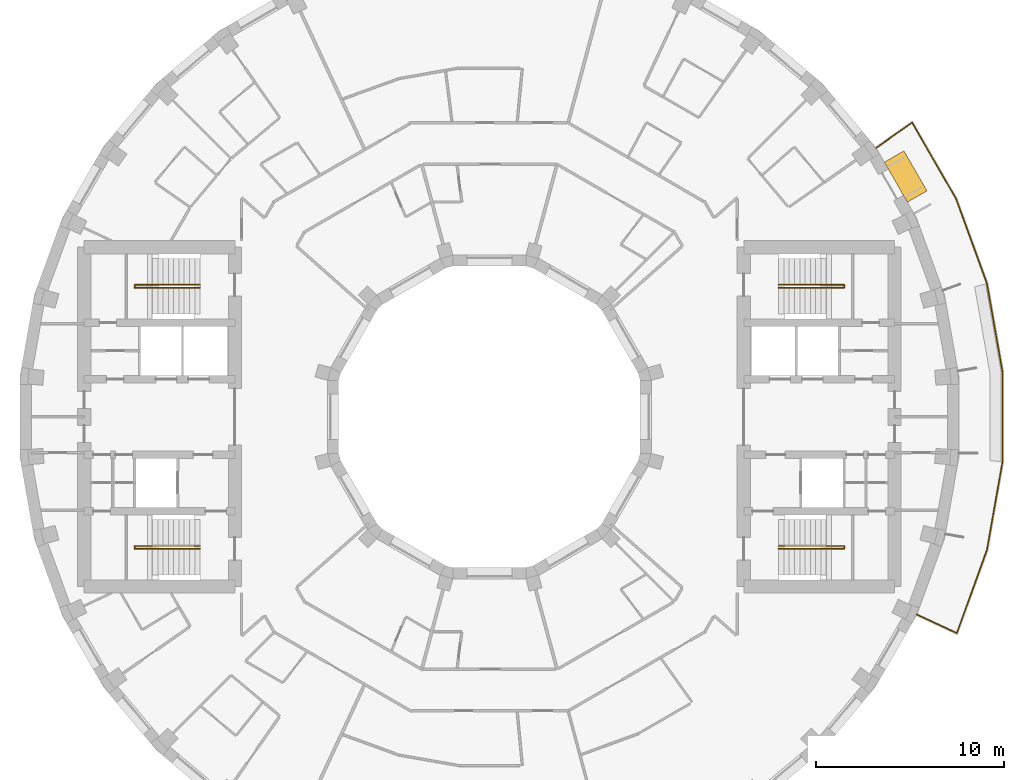
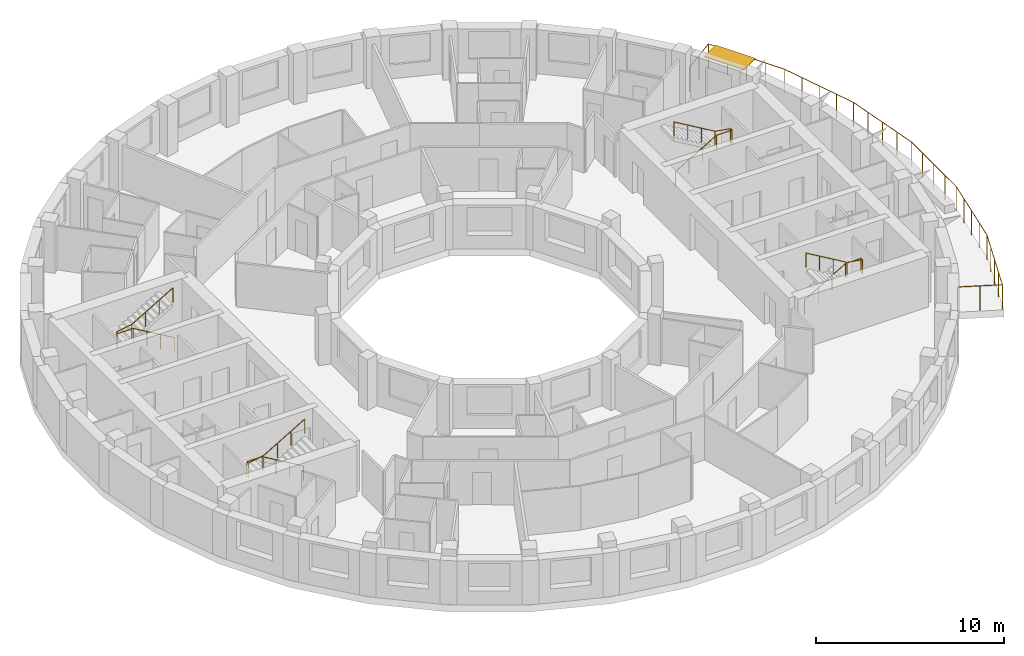
# One storey, part 11 of 11: 5 railings, 1 shading device.
"""IFC4 building model written with IfcOpenShell, lengths in metres."""

from ifc_helpers import new_model, si_unit, direction, frame, origin, origin_2d, place, context, subcontext, project, spatial, rectangle, circle, extrude, material, layer, layer_set, type_object, element, save


model = new_model("IFC4")

# Units and contexts
model_context = context("Model", 3, precision=1e-05, world=origin(), true_north=direction((0.0, 1.0)))
body_context = subcontext(model_context, "Body", "Model", "MODEL_VIEW")
ifc_project = project(units=[si_unit("LENGTHUNIT", "METRE"), si_unit("AREAUNIT", "SQUARE_METRE"), si_unit("VOLUMEUNIT", "CUBIC_METRE"), si_unit("PLANEANGLEUNIT", "RADIAN"), si_unit("MASSUNIT", "GRAM", prefix="KILO")], contexts=[model_context])

# Site, building, storey
site_placement = place(None, origin())
site = spatial("IfcSite", under=ifc_project, at=site_placement, CompositionType="ELEMENT")
building_placement = place(site_placement, origin())
building = spatial("IfcBuilding", under=site, at=building_placement, Name="Saqina Gate Tower", CompositionType="ELEMENT")
storey_placement = place(building_placement, frame((0.0, 0.0, 180.60009765625)))
storey = spatial("IfcBuildingStorey", under=building, at=storey_placement, Name="L51", CompositionType="ELEMENT", Elevation=180.60009765625)

# Shading device
ifc_material_1 = material(Name="Aluminium and fabric awning", Category="aluminium")
ifc_layer = layer(ifc_material_1, 0.050048828125)
ifc_layer_set = layer_set([ifc_layer], Name="AW-TERRACE")
shading_device_type = type_object("IfcShadingDeviceType", Name="AW-TERRACE", PredefinedType="AWNING", material=ifc_layer_set)
shading_device_placement = place(storey_placement, frame((22.087890625, 12.75244140625, 2.52490234375), z_axis=(0.0, 0.0, 1.0), x_axis=(-0.5, 0.866025403784, 0.0)))
element("IfcShadingDevice", 1, at=shading_device_placement, inside=storey, type_object=shading_device_type, Name="Terrace awning L51 facet 3", PredefinedType="AWNING", context=body_context, shape_type="SweptSolid", body=[
    extrude(rectangle(XDim=2.44970703125, YDim=1.199951171875, at=origin_2d()), origin(), (0.0, 0.0, 1.0), 0.050048828125),
])

# Railings
ifc_material_2 = material(Name="Stainless steel", Category="steel")
railing_type_1 = type_object("IfcRailingType", Name="RL-TERRACE", PredefinedType="GUARDRAIL", material=ifc_material_2)
railing_1_placement = place(storey_placement, frame((22.63720703125, -10.467529296875, 0.0)))
element("IfcRailing", 2, at=railing_1_placement, inside=storey, type_object=railing_type_1, Name="Terrace guard L51", PredefinedType="GUARDRAIL", context=body_context, shape_type="SweptSolid", body=[
    extrude(circle(Radius=0.02392578125, at=origin_2d()), frame((0.0, 0.0, 1.576171875), z_axis=(0.906277108403, -0.422684046048, 0.0), x_axis=(0.422684046048, 0.906277108403, 0.0)), (0.0, 0.0, 1.0), 2.388916015625),
    extrude(circle(Radius=0.02392578125, at=origin_2d()), frame((2.1650390625, -1.009765625, 1.576171875), z_axis=(0.340608713677, 0.940205139407, 0.0), x_axis=(-0.940205139407, 0.340608713677, 0.0)), (0.0, 0.0, 1.0), 4.68408203125),
    extrude(circle(Radius=0.02392578125, at=origin_2d()), frame((3.760498046875, 3.394287109375, 1.576171875), z_axis=(0.173633303123, 0.98481037568, 0.0), x_axis=(-0.98481037568, 0.173633303123, 0.0)), (0.0, 0.0, 1.0), 4.763671875),
    extrude(circle(Radius=0.02392578125, at=origin_2d()), frame((4.587646484375, 8.085693359375, 1.576171875), z_axis=(0.0, 1.0, 0.0), x_axis=(-1.0, 0.0, 0.0)), (0.0, 0.0, 1.0), 4.763671875),
    extrude(circle(Radius=0.02392578125, at=origin_2d()), frame((4.587646484375, 12.849365234375, 1.576171875), z_axis=(-0.173633303123, 0.98481037568, 0.0), x_axis=(-0.98481037568, -0.173633303123, 0.0)), (0.0, 0.0, 1.0), 4.763671875),
    extrude(circle(Radius=0.02392578125, at=origin_2d()), frame((3.760498046875, 17.540771484375, 1.576171875), z_axis=(-0.342031084868, 0.939688638318, 0.0), x_axis=(-0.939688638318, -0.342031084868, 0.0)), (0.0, 0.0, 1.0), 4.763916015625),
    extrude(circle(Radius=0.02392578125, at=origin_2d()), frame((2.131103515625, 22.017333984375, 1.576171875), z_axis=(-0.49871886863, 0.866763802932, 0.0), x_axis=(-0.866763802932, -0.49871886863, 0.0)), (0.0, 0.0, 1.0), 4.683837890625),
    extrude(circle(Radius=0.02392578125, at=origin_2d()), frame((-0.204833984375, 26.0771484375, 1.576171875), z_axis=(-0.819159891559, -0.573565229124, 0.0), x_axis=(0.573565229124, -0.819159891559, 0.0)), (0.0, 0.0, 1.0), 2.388671875),
    extrude(circle(Radius=0.02099609375, at=origin_2d()), origin(), (0.0, 0.0, 1.0), 1.552001953125),
    extrude(circle(Radius=0.02099609375, at=origin_2d()), frame((1.08251953125, -0.5048828125, 0.0)), (0.0, 0.0, 1.0), 1.552001953125),
    extrude(circle(Radius=0.02099609375, at=origin_2d()), frame((2.1650390625, -1.009765625, 0.0)), (0.0, 0.0, 1.0), 1.552001953125),
    extrude(circle(Radius=0.02099609375, at=origin_2d()), frame((2.56396484375, 0.09130859375, 0.0)), (0.0, 0.0, 1.0), 1.552001953125),
    extrude(circle(Radius=0.02099609375, at=origin_2d()), frame((2.962890625, 1.1923828125, 0.0)), (0.0, 0.0, 1.0), 1.552001953125),
    extrude(circle(Radius=0.02099609375, at=origin_2d()), frame((3.361572265625, 2.293212890625, 0.0)), (0.0, 0.0, 1.0), 1.552001953125),
    extrude(circle(Radius=0.02099609375, at=origin_2d()), frame((3.760498046875, 3.394287109375, 0.0)), (0.0, 0.0, 1.0), 1.552001953125),
    extrude(circle(Radius=0.02099609375, at=origin_2d()), frame((3.96728515625, 4.567138671875, 0.0)), (0.0, 0.0, 1.0), 1.552001953125),
    extrude(circle(Radius=0.02099609375, at=origin_2d()), frame((4.174072265625, 5.739990234375, 0.0)), (0.0, 0.0, 1.0), 1.552001953125),
    extrude(circle(Radius=0.02099609375, at=origin_2d()), frame((4.380859375, 6.912841796875, 0.0)), (0.0, 0.0, 1.0), 1.552001953125),
    extrude(circle(Radius=0.02099609375, at=origin_2d()), frame((4.587646484375, 8.085693359375, 0.0)), (0.0, 0.0, 1.0), 1.552001953125),
    extrude(circle(Radius=0.02099609375, at=origin_2d()), frame((4.587646484375, 9.276611328125, 0.0)), (0.0, 0.0, 1.0), 1.552001953125),
    extrude(circle(Radius=0.02099609375, at=origin_2d()), frame((4.587646484375, 10.467529296875, 0.0)), (0.0, 0.0, 1.0), 1.552001953125),
    extrude(circle(Radius=0.02099609375, at=origin_2d()), frame((4.587646484375, 11.658447265625, 0.0)), (0.0, 0.0, 1.0), 1.552001953125),
    extrude(circle(Radius=0.02099609375, at=origin_2d()), frame((4.587646484375, 12.849365234375, 0.0)), (0.0, 0.0, 1.0), 1.552001953125),
    extrude(circle(Radius=0.02099609375, at=origin_2d()), frame((4.380859375, 14.022216796875, 0.0)), (0.0, 0.0, 1.0), 1.552001953125),
    extrude(circle(Radius=0.02099609375, at=origin_2d()), frame((4.174072265625, 15.195068359375, 0.0)), (0.0, 0.0, 1.0), 1.552001953125),
    extrude(circle(Radius=0.02099609375, at=origin_2d()), frame((3.96728515625, 16.367919921875, 0.0)), (0.0, 0.0, 1.0), 1.552001953125),
    extrude(circle(Radius=0.02099609375, at=origin_2d()), frame((3.760498046875, 17.540771484375, 0.0)), (0.0, 0.0, 1.0), 1.552001953125),
    extrude(circle(Radius=0.02099609375, at=origin_2d()), frame((3.35302734375, 18.659912109375, 0.0)), (0.0, 0.0, 1.0), 1.552001953125),
    extrude(circle(Radius=0.02099609375, at=origin_2d()), frame((2.94580078125, 19.779052734375, 0.0)), (0.0, 0.0, 1.0), 1.552001953125),
    extrude(circle(Radius=0.02099609375, at=origin_2d()), frame((2.53857421875, 20.898193359375, 0.0)), (0.0, 0.0, 1.0), 1.552001953125),
    extrude(circle(Radius=0.02099609375, at=origin_2d()), frame((2.131103515625, 22.017333984375, 0.0)), (0.0, 0.0, 1.0), 1.552001953125),
    extrude(circle(Radius=0.02099609375, at=origin_2d()), frame((1.547119140625, 23.0322265625, 0.0)), (0.0, 0.0, 1.0), 1.552001953125),
    extrude(circle(Radius=0.02099609375, at=origin_2d()), frame((0.963134765625, 24.04736328125, 0.0)), (0.0, 0.0, 1.0), 1.552001953125),
    extrude(circle(Radius=0.02099609375, at=origin_2d()), frame((0.379150390625, 25.062255859375, 0.0)), (0.0, 0.0, 1.0), 1.552001953125),
    extrude(circle(Radius=0.02099609375, at=origin_2d()), frame((-0.204833984375, 26.0771484375, 0.0)), (0.0, 0.0, 1.0), 1.552001953125),
    extrude(circle(Radius=0.02099609375, at=origin_2d()), frame((-1.18310546875, 25.39208984375, 0.0)), (0.0, 0.0, 1.0), 1.552001953125),
    extrude(circle(Radius=0.02099609375, at=origin_2d()), frame((-2.16162109375, 24.70703125, 0.0)), (0.0, 0.0, 1.0), 1.552001953125),
])
ifc_material_3 = material(Name="Stainless steel", Category="steel")
railing_type_2 = type_object("IfcRailingType", Name="STAIR HANDRAIL", PredefinedType="HANDRAIL", material=ifc_material_3)
railing_2_placement = place(storey_placement, frame((15.35009765625, 6.85009765625, 0.164794921875)))
element("IfcRailing", 3, at=railing_2_placement, inside=storey, type_object=railing_type_2, Name="EXIT STAIR 1 HANDRAIL", PredefinedType="HANDRAIL", context=body_context, shape_type="SweptSolid", body=[
    extrude(circle(Radius=0.02392578125, at=origin_2d()), frame((0.0, 0.0, 0.92578125), z_axis=(0.86152411907, 0.0, 0.507716645641), x_axis=(0.0, 1.0, 0.0)), (0.0, 0.0, 1.0), 2.925048828125),
    extrude(circle(Radius=0.02392578125, at=origin_2d()), frame((2.52001953125, 0.0, 2.4111328125), z_axis=(1.0, 0.0, 0.0), x_axis=(0.0, 1.0, 0.0)), (0.0, 0.0, 1.0), 0.949951171875),
    extrude(circle(Radius=0.02392578125, at=origin_2d()), frame((3.469970703125, 0.0, 2.4111328125), z_axis=(0.0, 1.0, 0.0), x_axis=(-1.0, 0.0, 0.0)), (0.0, 0.0, 1.0), 0.14990234375),
    extrude(circle(Radius=0.02392578125, at=origin_2d()), frame((3.469970703125, 0.14990234375, 2.4111328125), z_axis=(-0.985241474778, 0.0, 0.171170197109), x_axis=(0.0, -1.0, 0.0)), (0.0, 0.0, 1.0), 0.964111328125),
    extrude(circle(Radius=0.02392578125, at=origin_2d()), frame((2.52001953125, 0.14990234375, 2.576171875), z_axis=(-0.861560626758, 0.0, 0.507654692109), x_axis=(0.0, -1.0, 0.0)), (0.0, 0.0, 1.0), 2.925048828125),
    extrude(circle(Radius=0.02099609375, at=origin_2d()), origin(), (0.0, 0.0, 1.0), 0.90185546875),
    extrude(circle(Radius=0.02099609375, at=origin_2d()), frame((0.840087890625, 0.0, 0.4951171875)), (0.0, 0.0, 1.0), 0.90185546875),
    extrude(circle(Radius=0.02099609375, at=origin_2d()), frame((1.679931640625, 0.0, 0.989990234375)), (0.0, 0.0, 1.0), 0.90185546875),
    extrude(circle(Radius=0.02099609375, at=origin_2d()), frame((2.52001953125, 0.0, 1.485107421875)), (0.0, 0.0, 1.0), 0.90185546875),
    extrude(circle(Radius=0.02099609375, at=origin_2d()), frame((3.469970703125, 0.0, 1.485107421875)), (0.0, 0.0, 1.0), 0.90185546875),
    extrude(circle(Radius=0.02099609375, at=origin_2d()), frame((3.469970703125, 0.14990234375, 1.485107421875)), (0.0, 0.0, 1.0), 0.90185546875),
    extrude(circle(Radius=0.02099609375, at=origin_2d()), frame((2.52001953125, 0.14990234375, 1.650146484375)), (0.0, 0.0, 1.0), 0.90185546875),
    extrude(circle(Radius=0.02099609375, at=origin_2d()), frame((1.679931640625, 0.14990234375, 2.14501953125)), (0.0, 0.0, 1.0), 0.90185546875),
    extrude(circle(Radius=0.02099609375, at=origin_2d()), frame((0.840087890625, 0.14990234375, 2.64013671875)), (0.0, 0.0, 1.0), 0.90185546875),
    extrude(circle(Radius=0.02099609375, at=origin_2d()), frame((0.0, 0.14990234375, 3.135009765625)), (0.0, 0.0, 1.0), 0.90185546875),
])
railing_3_placement = place(storey_placement, frame((15.35009765625, -6.85009765625, 0.164794921875)))
element("IfcRailing", 4, at=railing_3_placement, inside=storey, type_object=railing_type_2, Name="EXIT STAIR 2 HANDRAIL", PredefinedType="HANDRAIL", context=body_context, shape_type="SweptSolid", body=[
    extrude(circle(Radius=0.02392578125, at=origin_2d()), frame((0.0, 0.0, 0.92578125), z_axis=(0.86152411907, 0.0, 0.507716645641), x_axis=(0.0, 1.0, 0.0)), (0.0, 0.0, 1.0), 2.925048828125),
    extrude(circle(Radius=0.02392578125, at=origin_2d()), frame((2.52001953125, 0.0, 2.4111328125), z_axis=(1.0, 0.0, 0.0), x_axis=(0.0, 1.0, 0.0)), (0.0, 0.0, 1.0), 0.949951171875),
    extrude(circle(Radius=0.02392578125, at=origin_2d()), frame((3.469970703125, 0.0, 2.4111328125), z_axis=(0.0, -1.0, 0.0), x_axis=(1.0, 0.0, 0.0)), (0.0, 0.0, 1.0), 0.14990234375),
    extrude(circle(Radius=0.02392578125, at=origin_2d()), frame((3.469970703125, -0.14990234375, 2.4111328125), z_axis=(-0.985241474778, 0.0, 0.171170197109), x_axis=(0.0, -1.0, 0.0)), (0.0, 0.0, 1.0), 0.964111328125),
    extrude(circle(Radius=0.02392578125, at=origin_2d()), frame((2.52001953125, -0.14990234375, 2.576171875), z_axis=(-0.861560626758, 0.0, 0.507654692109), x_axis=(0.0, -1.0, 0.0)), (0.0, 0.0, 1.0), 2.925048828125),
    extrude(circle(Radius=0.02099609375, at=origin_2d()), origin(), (0.0, 0.0, 1.0), 0.90185546875),
    extrude(circle(Radius=0.02099609375, at=origin_2d()), frame((0.840087890625, 0.0, 0.4951171875)), (0.0, 0.0, 1.0), 0.90185546875),
    extrude(circle(Radius=0.02099609375, at=origin_2d()), frame((1.679931640625, 0.0, 0.989990234375)), (0.0, 0.0, 1.0), 0.90185546875),
    extrude(circle(Radius=0.02099609375, at=origin_2d()), frame((2.52001953125, 0.0, 1.485107421875)), (0.0, 0.0, 1.0), 0.90185546875),
    extrude(circle(Radius=0.02099609375, at=origin_2d()), frame((3.469970703125, 0.0, 1.485107421875)), (0.0, 0.0, 1.0), 0.90185546875),
    extrude(circle(Radius=0.02099609375, at=origin_2d()), frame((3.469970703125, -0.14990234375, 1.485107421875)), (0.0, 0.0, 1.0), 0.90185546875),
    extrude(circle(Radius=0.02099609375, at=origin_2d()), frame((2.52001953125, -0.14990234375, 1.650146484375)), (0.0, 0.0, 1.0), 0.90185546875),
    extrude(circle(Radius=0.02099609375, at=origin_2d()), frame((1.679931640625, -0.14990234375, 2.14501953125)), (0.0, 0.0, 1.0), 0.90185546875),
    extrude(circle(Radius=0.02099609375, at=origin_2d()), frame((0.840087890625, -0.14990234375, 2.64013671875)), (0.0, 0.0, 1.0), 0.90185546875),
    extrude(circle(Radius=0.02099609375, at=origin_2d()), frame((0.0, -0.14990234375, 3.135009765625)), (0.0, 0.0, 1.0), 0.90185546875),
])
railing_4_placement = place(storey_placement, frame((-15.35009765625, 6.85009765625, 0.164794921875)))
element("IfcRailing", 5, at=railing_4_placement, inside=storey, type_object=railing_type_2, Name="EXIT STAIR 3 HANDRAIL", PredefinedType="HANDRAIL", context=body_context, shape_type="SweptSolid", body=[
    extrude(circle(Radius=0.02392578125, at=origin_2d()), frame((0.0, 0.0, 0.92578125), z_axis=(-0.86152411907, 0.0, 0.507716645641), x_axis=(0.0, -1.0, 0.0)), (0.0, 0.0, 1.0), 2.925048828125),
    extrude(circle(Radius=0.02392578125, at=origin_2d()), frame((-2.52001953125, 0.0, 2.4111328125), z_axis=(-1.0, 0.0, 0.0), x_axis=(0.0, -1.0, 0.0)), (0.0, 0.0, 1.0), 0.949951171875),
    extrude(circle(Radius=0.02392578125, at=origin_2d()), frame((-3.469970703125, 0.0, 2.4111328125), z_axis=(0.0, 1.0, 0.0), x_axis=(-1.0, 0.0, 0.0)), (0.0, 0.0, 1.0), 0.14990234375),
    extrude(circle(Radius=0.02392578125, at=origin_2d()), frame((-3.469970703125, 0.14990234375, 2.4111328125), z_axis=(0.985241474778, 0.0, 0.171170197109), x_axis=(0.0, 1.0, 0.0)), (0.0, 0.0, 1.0), 0.964111328125),
    extrude(circle(Radius=0.02392578125, at=origin_2d()), frame((-2.52001953125, 0.14990234375, 2.576171875), z_axis=(0.861560626758, 0.0, 0.507654692109), x_axis=(0.0, 1.0, 0.0)), (0.0, 0.0, 1.0), 2.925048828125),
    extrude(circle(Radius=0.02099609375, at=origin_2d()), origin(), (0.0, 0.0, 1.0), 0.90185546875),
    extrude(circle(Radius=0.02099609375, at=origin_2d()), frame((-0.840087890625, 0.0, 0.4951171875)), (0.0, 0.0, 1.0), 0.90185546875),
    extrude(circle(Radius=0.02099609375, at=origin_2d()), frame((-1.679931640625, 0.0, 0.989990234375)), (0.0, 0.0, 1.0), 0.90185546875),
    extrude(circle(Radius=0.02099609375, at=origin_2d()), frame((-2.52001953125, 0.0, 1.485107421875)), (0.0, 0.0, 1.0), 0.90185546875),
    extrude(circle(Radius=0.02099609375, at=origin_2d()), frame((-3.469970703125, 0.0, 1.485107421875)), (0.0, 0.0, 1.0), 0.90185546875),
    extrude(circle(Radius=0.02099609375, at=origin_2d()), frame((-3.469970703125, 0.14990234375, 1.485107421875)), (0.0, 0.0, 1.0), 0.90185546875),
    extrude(circle(Radius=0.02099609375, at=origin_2d()), frame((-2.52001953125, 0.14990234375, 1.650146484375)), (0.0, 0.0, 1.0), 0.90185546875),
    extrude(circle(Radius=0.02099609375, at=origin_2d()), frame((-1.679931640625, 0.14990234375, 2.14501953125)), (0.0, 0.0, 1.0), 0.90185546875),
    extrude(circle(Radius=0.02099609375, at=origin_2d()), frame((-0.840087890625, 0.14990234375, 2.64013671875)), (0.0, 0.0, 1.0), 0.90185546875),
    extrude(circle(Radius=0.02099609375, at=origin_2d()), frame((0.0, 0.14990234375, 3.135009765625)), (0.0, 0.0, 1.0), 0.90185546875),
])
railing_5_placement = place(storey_placement, frame((-15.35009765625, -6.85009765625, 0.164794921875)))
element("IfcRailing", 6, at=railing_5_placement, inside=storey, type_object=railing_type_2, Name="EXIT STAIR 4 HANDRAIL", PredefinedType="HANDRAIL", context=body_context, shape_type="SweptSolid", body=[
    extrude(circle(Radius=0.02392578125, at=origin_2d()), frame((0.0, 0.0, 0.92578125), z_axis=(-0.86152411907, 0.0, 0.507716645641), x_axis=(0.0, -1.0, 0.0)), (0.0, 0.0, 1.0), 2.925048828125),
    extrude(circle(Radius=0.02392578125, at=origin_2d()), frame((-2.52001953125, 0.0, 2.4111328125), z_axis=(-1.0, 0.0, 0.0), x_axis=(0.0, -1.0, 0.0)), (0.0, 0.0, 1.0), 0.949951171875),
    extrude(circle(Radius=0.02392578125, at=origin_2d()), frame((-3.469970703125, 0.0, 2.4111328125), z_axis=(0.0, -1.0, 0.0), x_axis=(1.0, 0.0, 0.0)), (0.0, 0.0, 1.0), 0.14990234375),
    extrude(circle(Radius=0.02392578125, at=origin_2d()), frame((-3.469970703125, -0.14990234375, 2.4111328125), z_axis=(0.985241474778, 0.0, 0.171170197109), x_axis=(0.0, 1.0, 0.0)), (0.0, 0.0, 1.0), 0.964111328125),
    extrude(circle(Radius=0.02392578125, at=origin_2d()), frame((-2.52001953125, -0.14990234375, 2.576171875), z_axis=(0.861560626758, 0.0, 0.507654692109), x_axis=(0.0, 1.0, 0.0)), (0.0, 0.0, 1.0), 2.925048828125),
    extrude(circle(Radius=0.02099609375, at=origin_2d()), origin(), (0.0, 0.0, 1.0), 0.90185546875),
    extrude(circle(Radius=0.02099609375, at=origin_2d()), frame((-0.840087890625, 0.0, 0.4951171875)), (0.0, 0.0, 1.0), 0.90185546875),
    extrude(circle(Radius=0.02099609375, at=origin_2d()), frame((-1.679931640625, 0.0, 0.989990234375)), (0.0, 0.0, 1.0), 0.90185546875),
    extrude(circle(Radius=0.02099609375, at=origin_2d()), frame((-2.52001953125, 0.0, 1.485107421875)), (0.0, 0.0, 1.0), 0.90185546875),
    extrude(circle(Radius=0.02099609375, at=origin_2d()), frame((-3.469970703125, 0.0, 1.485107421875)), (0.0, 0.0, 1.0), 0.90185546875),
    extrude(circle(Radius=0.02099609375, at=origin_2d()), frame((-3.469970703125, -0.14990234375, 1.485107421875)), (0.0, 0.0, 1.0), 0.90185546875),
    extrude(circle(Radius=0.02099609375, at=origin_2d()), frame((-2.52001953125, -0.14990234375, 1.650146484375)), (0.0, 0.0, 1.0), 0.90185546875),
    extrude(circle(Radius=0.02099609375, at=origin_2d()), frame((-1.679931640625, -0.14990234375, 2.14501953125)), (0.0, 0.0, 1.0), 0.90185546875),
    extrude(circle(Radius=0.02099609375, at=origin_2d()), frame((-0.840087890625, -0.14990234375, 2.64013671875)), (0.0, 0.0, 1.0), 0.90185546875),
    extrude(circle(Radius=0.02099609375, at=origin_2d()), frame((0.0, -0.14990234375, 3.135009765625)), (0.0, 0.0, 1.0), 0.90185546875),
])

save(model, "model.ifc")
